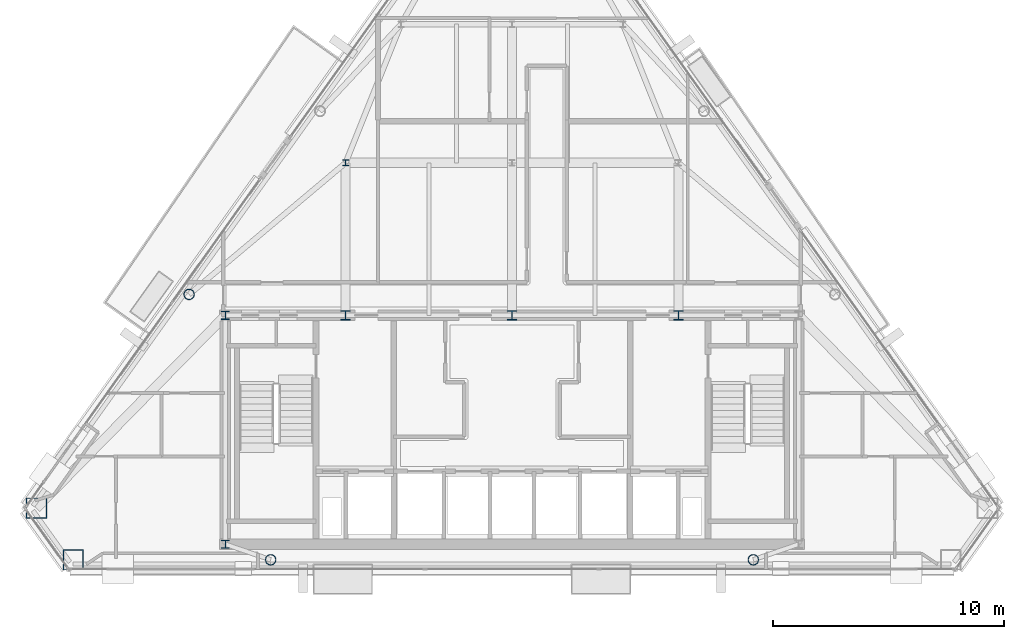
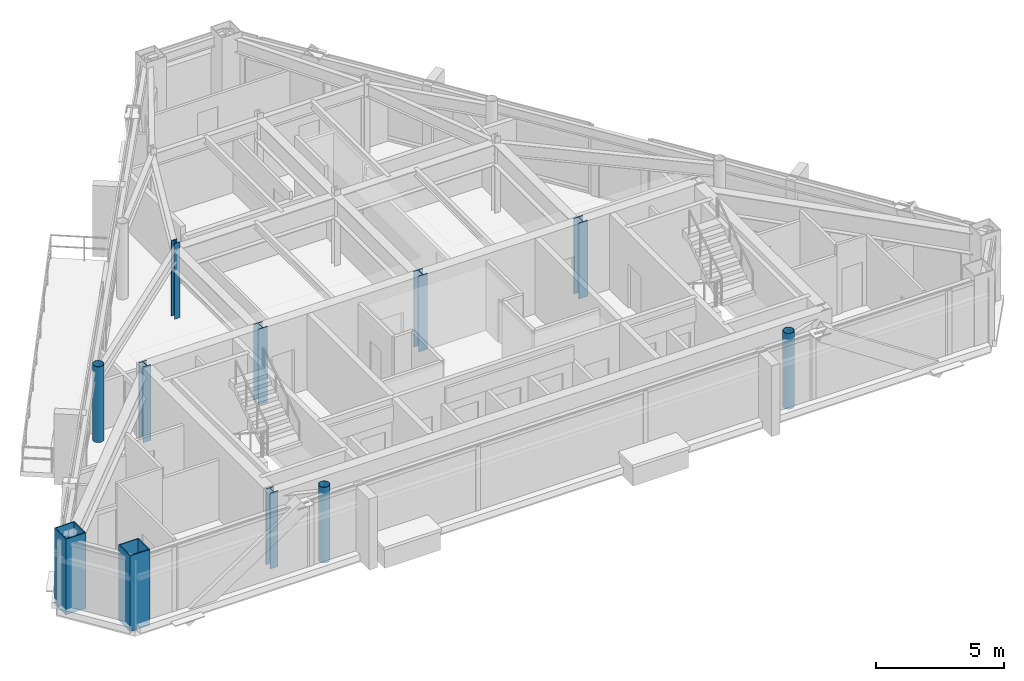
# One storey, part 1 of 12: 11 columns.
"""IFC4 building model written with IfcOpenShell, lengths in metres."""

from ifc_helpers import new_model, si_unit, direction, frame, origin, origin_2d, place, context, subcontext, project, spatial, hollow_rectangle, hollow_circle, i_section, extrude, material, material_profile, profile_set, type_object, element, save


model = new_model("IFC4")

# Units and contexts
model_context = context("Model", 3, precision=1e-05, world=origin(), true_north=direction((0.0, 1.0)))
body_context = subcontext(model_context, "Body", "Model", "MODEL_VIEW")
ifc_project = project(units=[si_unit("LENGTHUNIT", "METRE"), si_unit("AREAUNIT", "SQUARE_METRE"), si_unit("VOLUMEUNIT", "CUBIC_METRE"), si_unit("PLANEANGLEUNIT", "RADIAN"), si_unit("MASSUNIT", "GRAM", prefix="KILO")], contexts=[model_context])

# Site, building, storey
site_placement = place(None, origin())
site = spatial("IfcSite", under=ifc_project, at=site_placement, CompositionType="ELEMENT")
building_placement = place(site_placement, origin())
building = spatial("IfcBuilding", under=site, at=building_placement, Name="Talgorran Terracotta Tower", CompositionType="ELEMENT")
storey_placement = place(building_placement, frame((0.0, 0.0, 281.39990234375)))
storey = spatial("IfcBuildingStorey", under=building, at=storey_placement, Name="L74", CompositionType="ELEMENT", Elevation=281.39990234375)

# Columns
ifc_material_1 = material(Name="Steel S355 (300PLUS)", Category="steel")
ifc_material_profile_1 = material_profile(ifc_material_1, i_section(OverallWidth=0.256103515625, OverallDepth=0.260009765625, WebThickness=0.010498046875, FlangeThickness=0.017333984375, at=origin_2d()), Name="250UC89.5")
ifc_profile_set_1 = profile_set([ifc_material_profile_1], Name="Steel S355 (300PLUS)")
column_type_1 = type_object("IfcColumnType", Name="COL_250UC89", PredefinedType="COLUMN", material=ifc_profile_set_1)
column_placement = place(storey_placement, frame((-7.199951171875, 2.39990234375, 0.0), z_axis=(0.0, 0.0, 1.0), x_axis=(1.0, 0.0, 0.0)))
element("IfcColumn", 1, at=column_placement, inside=storey, type_object=column_type_1, Name="L74 Interior Gravity Column IC1", PredefinedType="COLUMN", context=body_context, shape_type="SweptSolid", body=[
    extrude(i_section(OverallWidth=0.256103515625, OverallDepth=0.260009765625, WebThickness=0.010498046875, FlangeThickness=0.017333984375, at=origin_2d()), origin(), (0.0, 0.0, 1.0), 3.60009765625),
])
ifc_material_profile_2 = material_profile(ifc_material_1, i_section(OverallWidth=0.35205078125, OverallDepth=0.35888671875, WebThickness=0.01806640625, FlangeThickness=0.02587890625, at=origin_2d()), Name="350WC197")
ifc_profile_set_2 = profile_set([ifc_material_profile_2], Name="Steel S355 (300PLUS)")
column_type_2 = type_object("IfcColumnType", Name="COL_350WC197", PredefinedType="COLUMN", material=ifc_profile_set_2)
for number, where, z_axis, x_axis, name in (
    (2, (-12.39990234375, -14.10009765625, 0.0), (0.0, 0.0, 1.0), (1.0, 0.0, 0.0), "L74 Core Boundary Column CC1"),
    (3, (-12.39990234375, -4.199951171875, 0.0), (0.0, 0.0, 1.0), (1.0, 0.0, 0.0), "L74 Core Boundary Column CC4"),
):
    element("IfcColumn", number, at=place(storey_placement, frame(where, z_axis=z_axis, x_axis=x_axis)), inside=storey, type_object=column_type_2, Name=name, PredefinedType="COLUMN", context=body_context, shape_type="SweptSolid", body=[
        extrude(i_section(OverallWidth=0.35205078125, OverallDepth=0.35888671875, WebThickness=0.01806640625, FlangeThickness=0.02587890625, at=origin_2d()), origin(), (0.0, 0.0, 1.0), 3.60009765625),
    ])
ifc_material_2 = material(Name="Steel Grade 350 (350L0)", Category="steel")
ifc_material_profile_3 = material_profile(ifc_material_2, hollow_rectangle(XDim=0.89990234375, YDim=0.89990234375, WallThickness=0.0400390625, at=origin_2d()), Name="CFT900X900X40")
ifc_profile_set_3 = profile_set([ifc_material_profile_3], Name="Steel Grade 350 (350L0)")
column_type_3 = type_object("IfcColumnType", Name="COL_CFT_900", PredefinedType="COLUMN", material=ifc_profile_set_3)
for number, where, z_axis, x_axis, name in (
    (4, (-20.578857421875, -12.542724609375, 0.0), (0.0, 0.0, 1.0), (1.0, 0.0, 0.0), "L74 Corner CFT Mega-Column MC1"),
    (5, (-18.984619140625, -14.7744140625, 0.0), (0.0, 0.0, 1.0), (1.0, 0.0, 0.0), "L74 Corner CFT Mega-Column MC2"),
):
    element("IfcColumn", number, at=place(storey_placement, frame(where, z_axis=z_axis, x_axis=x_axis)), inside=storey, type_object=column_type_3, Name=name, PredefinedType="COLUMN", context=body_context, shape_type="SweptSolid", body=[
        extrude(hollow_rectangle(XDim=0.89990234375, YDim=0.89990234375, WallThickness=0.0400390625, at=origin_2d()), origin(), (0.0, 0.0, 1.0), 3.60009765625),
    ])
ifc_material_3 = material(Name="Steel S350 (C350L0)", Category="steel")
ifc_material_profile_4 = material_profile(ifc_material_3, hollow_circle(Radius=0.228515625, WallThickness=0.01611328125, at=origin_2d()), Name="CHS457X16")
ifc_profile_set_4 = profile_set([ifc_material_profile_4], Name="Steel S350 (C350L0)")
column_type_4 = type_object("IfcColumnType", Name="COL_CHS_457", PredefinedType="COLUMN", material=ifc_profile_set_4)
for number, where, z_axis, x_axis, name in (
    (6, (-10.441650390625, -14.7744140625, 0.0), (0.0, 0.0, 1.0), (1.0, 0.0, 0.0), "L74 Facet Perimeter Column FC1"),
    (7, (10.441650390625, -14.7744140625, 0.0), (0.0, 0.0, 1.0), (1.0, 0.0, 0.0), "L74 Facet Perimeter Column FC2"),
    (8, (-13.970458984375, -3.29150390625, 0.0), (0.0, 0.0, 1.0), (1.0, 0.0, 0.0), "L74 Facet Perimeter Column FC6"),
):
    element("IfcColumn", number, at=place(storey_placement, frame(where, z_axis=z_axis, x_axis=x_axis)), inside=storey, type_object=column_type_4, Name=name, PredefinedType="COLUMN", context=body_context, shape_type="SweptSolid", body=[
        extrude(hollow_circle(Radius=0.228515625, WallThickness=0.01611328125, at=origin_2d()), origin(), (0.0, 0.0, 1.0), 3.60009765625),
    ])
ifc_material_profile_5 = material_profile(ifc_material_1, i_section(OverallWidth=0.405029296875, OverallDepth=0.4140625, WebThickness=0.02197265625, FlangeThickness=0.031982421875, at=origin_2d()), Name="400WC270")
ifc_profile_set_5 = profile_set([ifc_material_profile_5], Name="Steel S355 (300PLUS)")
column_type_5 = type_object("IfcColumnType", Name="COL_PIL_400WC270", PredefinedType="PILASTER", material=ifc_profile_set_5)
for number, where, z_axis, x_axis, name in (
    (9, (-7.199951171875, -4.199951171875, 0.0), (0.0, 0.0, 1.0), (1.0, 0.0, 0.0), "L74 Core Shear Pilaster CP1"),
    (10, (0.0, -4.199951171875, 0.0), (0.0, 0.0, 1.0), (1.0, 0.0, 0.0), "L74 Core Shear Pilaster CP2"),
    (11, (7.199951171875, -4.199951171875, 0.0), (0.0, 0.0, 1.0), (1.0, 0.0, 0.0), "L74 Core Shear Pilaster CP3"),
):
    element("IfcColumn", number, at=place(storey_placement, frame(where, z_axis=z_axis, x_axis=x_axis)), inside=storey, type_object=column_type_5, Name=name, PredefinedType="PILASTER", context=body_context, shape_type="SweptSolid", body=[
        extrude(i_section(OverallWidth=0.405029296875, OverallDepth=0.4140625, WebThickness=0.02197265625, FlangeThickness=0.031982421875, at=origin_2d()), origin(), (0.0, 0.0, 1.0), 3.60009765625),
    ])

save(model, "model.ifc")
